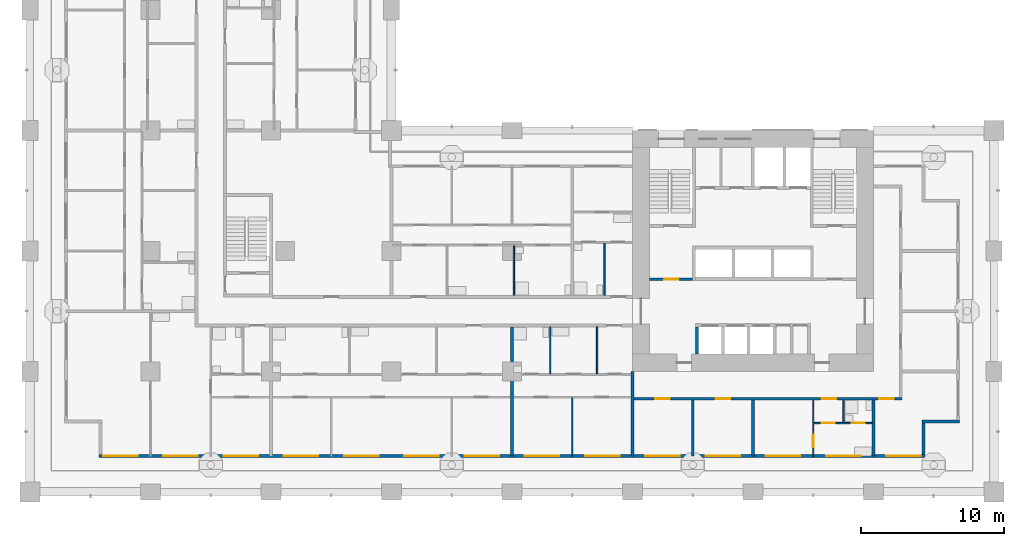
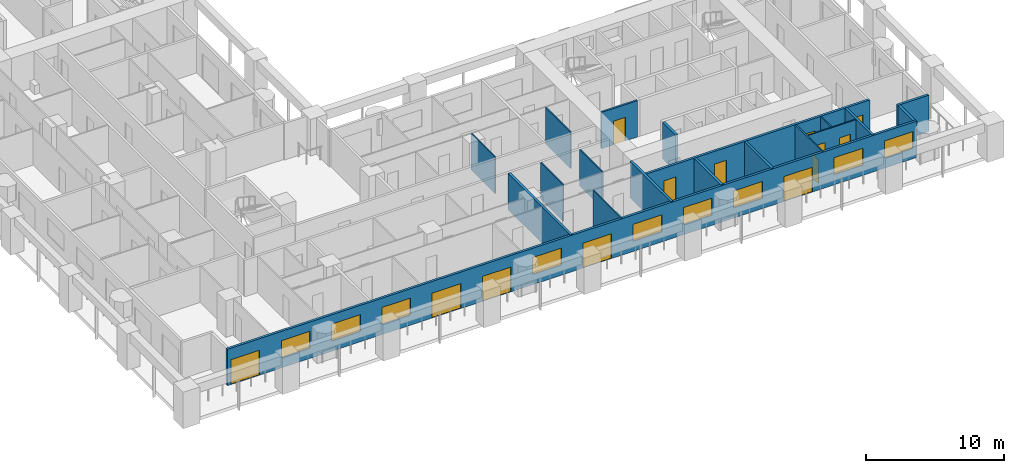
# One storey, part 5 of 20: 19 walls, 13 doors, 9 windows, 22 openings.
"""IFC4 building model written with IfcOpenShell, lengths in metres."""

from ifc_helpers import new_model, si_unit, direction, frame, frame_2d, origin, place, context, subcontext, project, spatial, rectangle, extrude, material, layer, layer_set, type_object, element, fill, save


model = new_model("IFC4")

# Units and contexts
model_context = context("Model", 3, precision=1e-05, world=origin(), true_north=direction((0.0, 1.0)))
body_context = subcontext(model_context, "Body", "Model", "MODEL_VIEW")
ifc_project = project(units=[si_unit("LENGTHUNIT", "METRE"), si_unit("AREAUNIT", "SQUARE_METRE"), si_unit("VOLUMEUNIT", "CUBIC_METRE"), si_unit("PLANEANGLEUNIT", "RADIAN"), si_unit("MASSUNIT", "GRAM", prefix="KILO")], contexts=[model_context])

# Site, building, storey
site_placement = place(None, origin())
site = spatial("IfcSite", under=ifc_project, at=site_placement, CompositionType="ELEMENT")
building_placement = place(site_placement, origin())
building = spatial("IfcBuilding", under=site, at=building_placement, Name="Vermilion Gate Residences", CompositionType="ELEMENT")
storey_placement = place(building_placement, frame((0.0, 0.0, 35.699951171875)))
storey = spatial("IfcBuildingStorey", under=building, at=storey_placement, Name="L07", CompositionType="ELEMENT", Elevation=35.699951171875)

# Wall, opening, door
ifc_material_1 = material(Name="Masonry blockwork", Category="masonry")
ifc_layer_1 = layer(ifc_material_1, 0.14990234375)
ifc_layer_set_1 = layer_set([ifc_layer_1], Name="BLOCKWORK PARTITION 150 EI 120")
wall_type_1 = type_object("IfcWallType", Name="BLOCKWORK PARTITION 150 EI 120", PredefinedType="PARTITIONING", material=ifc_layer_set_1)
wall_1_placement = place(storey_placement, frame((43.199951171875, 14.824951171875, 0.0), z_axis=(0.0, 0.0, 1.0), x_axis=(1.0, 0.0, 0.0)))
wall_1 = element("IfcWall", 1, at=wall_1_placement, inside=storey, type_object=wall_type_1, Name="Core room partition A07-VW-S", PredefinedType="PARTITIONING", context=body_context, shape_type="SweptSolid", body=[
    extrude(rectangle(XDim=3.0, YDim=0.14990234375, at=frame_2d((1.5, 0.0))), origin(), (0.0, 0.0, 1.0), 3.219970703125),
])
opening_1_placement = place(wall_1_placement, frame((1.0, 0.0, 0.0)))
opening_1 = element("IfcOpeningElement", 2, at=opening_1_placement, cuts=wall_1, Name="Opening DK07014", PredefinedType="OPENING", context=body_context, shape_type="SweptSolid", body=[
    extrude(rectangle(XDim=1.0, YDim=2.10009765625, at=frame_2d((0.5, 1.050048828125))), frame((0.0, 0.0849609375, 0.0), z_axis=(0.0, -1.0, 0.0), x_axis=(1.0, 0.0, 0.0)), (0.0, 0.0, 1.0), 0.169921875),
])
ifc_material_2 = material(Name="Steel", Category="steel")
door_type_1 = type_object("IfcDoorType", Name="FIRE DOOR FD60 1000 X 2100", OperationType="SINGLE_SWING_LEFT", PredefinedType="DOOR", material=ifc_material_2)
door_1_placement = place(opening_1_placement, frame((1.0, 0.0, 0.0), z_axis=(0.0, 0.0, 1.0), x_axis=(-1.0, 0.0, 0.0)))
door_1 = element("IfcDoor", 3, at=door_1_placement, inside=storey, type_object=door_type_1, Name="Stair vestibule door A07", OperationType="SINGLE_SWING_RIGHT", OverallHeight=2.10009765625, OverallWidth=1.0, PredefinedType="DOOR", context=body_context, shape_type="SweptSolid", body=[
    extrude(rectangle(XDim=1.0, YDim=2.10009765625, at=frame_2d((0.5, 1.050048828125))), frame((0.0, 0.02490234375, 0.0), z_axis=(0.0, -1.0, 0.0), x_axis=(1.0, 0.0, 0.0)), (0.0, 0.0, 1.0), 0.050048828125),
])
fill(opening_1, door_1)

# Wall, openings, doors, windows
ifc_material_3 = material(Name="Insulated steel stud wall with terracotta rainscreen", Category="masonry")
ifc_layer_2 = layer(ifc_material_3, 0.199951171875)
ifc_layer_set_2 = layer_set([ifc_layer_2], Name="EXTERNAL WALL 200 TERRACOTTA RAINSCREEN")
wall_type_2 = type_object("IfcWallType", Name="EXTERNAL WALL 200 TERRACOTTA RAINSCREEN", PredefinedType="SOLIDWALL", material=ifc_layer_set_2)
wall_2_placement = place(storey_placement, frame((4.800048828125, 2.5, 0.0), z_axis=(0.0, 0.0, 1.0), x_axis=(1.0, 0.0, 0.0)))
wall_2 = element("IfcWall", 4, at=wall_2_placement, inside=storey, type_object=wall_type_2, Name="External wall", PredefinedType="SOLIDWALL", context=body_context, shape_type="SweptSolid", body=[
    extrude(rectangle(XDim=57.599853515625, YDim=0.199951171875, at=frame_2d((28.7998046875, 0.0))), origin(), (0.0, 0.0, 1.0), 3.219970703125),
])
opening_2_placement = place(wall_2_placement, frame((0.300048828125, 0.0, 0.0)))
opening_2 = element("IfcOpeningElement", 5, at=opening_2_placement, cuts=wall_2, Name="Opening DE07014", PredefinedType="OPENING", context=body_context, shape_type="SweptSolid", body=[
    extrude(rectangle(XDim=2.39990234375, YDim=2.199951171875, at=frame_2d((1.199951171875, 1.10009765625))), frame((0.0, 0.10986328125, 0.0), z_axis=(0.0, -1.0, 0.0), x_axis=(1.0, 0.0, 0.0)), (0.0, 0.0, 1.0), 0.219970703125),
])
opening_3_placement = place(wall_2_placement, frame((4.5, 0.0, 0.89990234375)))
opening_3 = element("IfcOpeningElement", 6, at=opening_3_placement, cuts=wall_2, Name="Opening WE07015", PredefinedType="OPENING", context=body_context, shape_type="SweptSolid", body=[
    extrude(rectangle(XDim=2.39990234375, YDim=1.5, at=frame_2d((1.199951171875, 0.75))), frame((0.0, 0.10986328125, 0.0), z_axis=(0.0, -1.0, 0.0), x_axis=(1.0, 0.0, 0.0)), (0.0, 0.0, 1.0), 0.219970703125),
])
opening_4_placement = place(wall_2_placement, frame((8.699951171875, 0.0, 0.89990234375)))
opening_4 = element("IfcOpeningElement", 7, at=opening_4_placement, cuts=wall_2, Name="Opening WE07016", PredefinedType="OPENING", context=body_context, shape_type="SweptSolid", body=[
    extrude(rectangle(XDim=2.39990234375, YDim=1.5, at=frame_2d((1.199951171875, 0.75))), frame((0.0, 0.10986328125, 0.0), z_axis=(0.0, -1.0, 0.0), x_axis=(1.0, 0.0, 0.0)), (0.0, 0.0, 1.0), 0.219970703125),
])
opening_5_placement = place(wall_2_placement, frame((12.89990234375, 0.0, 0.89990234375)))
opening_5 = element("IfcOpeningElement", 8, at=opening_5_placement, cuts=wall_2, Name="Opening WE07017", PredefinedType="OPENING", context=body_context, shape_type="SweptSolid", body=[
    extrude(rectangle(XDim=2.39990234375, YDim=1.5, at=frame_2d((1.199951171875, 0.75))), frame((0.0, 0.10986328125, 0.0), z_axis=(0.0, -1.0, 0.0), x_axis=(1.0, 0.0, 0.0)), (0.0, 0.0, 1.0), 0.219970703125),
])
opening_6_placement = place(wall_2_placement, frame((17.10009765625, 0.0, 0.0)))
opening_6 = element("IfcOpeningElement", 9, at=opening_6_placement, cuts=wall_2, Name="Opening DE07018", PredefinedType="OPENING", context=body_context, shape_type="SweptSolid", body=[
    extrude(rectangle(XDim=2.39990234375, YDim=2.199951171875, at=frame_2d((1.199951171875, 1.10009765625))), frame((0.0, 0.10986328125, 0.0), z_axis=(0.0, -1.0, 0.0), x_axis=(1.0, 0.0, 0.0)), (0.0, 0.0, 1.0), 0.219970703125),
])
opening_7_placement = place(wall_2_placement, frame((21.300048828125, 0.0, 0.0)))
opening_7 = element("IfcOpeningElement", 10, at=opening_7_placement, cuts=wall_2, Name="Opening DE07019", PredefinedType="OPENING", context=body_context, shape_type="SweptSolid", body=[
    extrude(rectangle(XDim=2.39990234375, YDim=2.199951171875, at=frame_2d((1.199951171875, 1.10009765625))), frame((0.0, 0.10986328125, 0.0), z_axis=(0.0, -1.0, 0.0), x_axis=(1.0, 0.0, 0.0)), (0.0, 0.0, 1.0), 0.219970703125),
])
opening_8_placement = place(wall_2_placement, frame((25.5, 0.0, 0.89990234375)))
opening_8 = element("IfcOpeningElement", 11, at=opening_8_placement, cuts=wall_2, Name="Opening WE07020", PredefinedType="OPENING", context=body_context, shape_type="SweptSolid", body=[
    extrude(rectangle(XDim=2.39990234375, YDim=1.5, at=frame_2d((1.199951171875, 0.75))), frame((0.0, 0.10986328125, 0.0), z_axis=(0.0, -1.0, 0.0), x_axis=(1.0, 0.0, 0.0)), (0.0, 0.0, 1.0), 0.219970703125),
])
opening_9_placement = place(wall_2_placement, frame((29.699951171875, 0.0, 0.0)))
opening_9 = element("IfcOpeningElement", 12, at=opening_9_placement, cuts=wall_2, Name="Opening DE07021", PredefinedType="OPENING", context=body_context, shape_type="SweptSolid", body=[
    extrude(rectangle(XDim=2.39990234375, YDim=2.199951171875, at=frame_2d((1.199951171875, 1.10009765625))), frame((0.0, 0.10986328125, 0.0), z_axis=(0.0, -1.0, 0.0), x_axis=(1.0, 0.0, 0.0)), (0.0, 0.0, 1.0), 0.219970703125),
])
opening_10_placement = place(wall_2_placement, frame((33.89990234375, 0.0, 0.89990234375)))
opening_10 = element("IfcOpeningElement", 13, at=opening_10_placement, cuts=wall_2, Name="Opening WE07022", PredefinedType="OPENING", context=body_context, shape_type="SweptSolid", body=[
    extrude(rectangle(XDim=2.39990234375, YDim=1.5, at=frame_2d((1.199951171875, 0.75))), frame((0.0, 0.10986328125, 0.0), z_axis=(0.0, -1.0, 0.0), x_axis=(1.0, 0.0, 0.0)), (0.0, 0.0, 1.0), 0.219970703125),
])
opening_11_placement = place(wall_2_placement, frame((38.10009765625, 0.0, 0.89990234375)))
opening_11 = element("IfcOpeningElement", 14, at=opening_11_placement, cuts=wall_2, Name="Opening WE07023", PredefinedType="OPENING", context=body_context, shape_type="SweptSolid", body=[
    extrude(rectangle(XDim=2.39990234375, YDim=1.5, at=frame_2d((1.199951171875, 0.75))), frame((0.0, 0.10986328125, 0.0), z_axis=(0.0, -1.0, 0.0), x_axis=(1.0, 0.0, 0.0)), (0.0, 0.0, 1.0), 0.219970703125),
])
opening_12_placement = place(wall_2_placement, frame((42.300048828125, 0.0, 0.89990234375)))
opening_12 = element("IfcOpeningElement", 15, at=opening_12_placement, cuts=wall_2, Name="Opening WE07024", PredefinedType="OPENING", context=body_context, shape_type="SweptSolid", body=[
    extrude(rectangle(XDim=2.39990234375, YDim=1.5, at=frame_2d((1.199951171875, 0.75))), frame((0.0, 0.10986328125, 0.0), z_axis=(0.0, -1.0, 0.0), x_axis=(1.0, 0.0, 0.0)), (0.0, 0.0, 1.0), 0.219970703125),
])
opening_13_placement = place(wall_2_placement, frame((46.5, 0.0, 0.0)))
opening_13 = element("IfcOpeningElement", 16, at=opening_13_placement, cuts=wall_2, Name="Opening DE07025", PredefinedType="OPENING", context=body_context, shape_type="SweptSolid", body=[
    extrude(rectangle(XDim=2.39990234375, YDim=2.199951171875, at=frame_2d((1.199951171875, 1.10009765625))), frame((0.0, 0.10986328125, 0.0), z_axis=(0.0, -1.0, 0.0), x_axis=(1.0, 0.0, 0.0)), (0.0, 0.0, 1.0), 0.219970703125),
])
opening_14_placement = place(wall_2_placement, frame((50.699951171875, 0.0, 0.89990234375)))
opening_14 = element("IfcOpeningElement", 17, at=opening_14_placement, cuts=wall_2, Name="Opening WE07026", PredefinedType="OPENING", context=body_context, shape_type="SweptSolid", body=[
    extrude(rectangle(XDim=2.39990234375, YDim=1.5, at=frame_2d((1.199951171875, 0.75))), frame((0.0, 0.10986328125, 0.0), z_axis=(0.0, -1.0, 0.0), x_axis=(1.0, 0.0, 0.0)), (0.0, 0.0, 1.0), 0.219970703125),
])
opening_15_placement = place(wall_2_placement, frame((54.89990234375, 0.0, 0.89990234375)))
opening_15 = element("IfcOpeningElement", 18, at=opening_15_placement, cuts=wall_2, Name="Opening WE07027", PredefinedType="OPENING", context=body_context, shape_type="SweptSolid", body=[
    extrude(rectangle(XDim=2.39990234375, YDim=1.5, at=frame_2d((1.199951171875, 0.75))), frame((0.0, 0.10986328125, 0.0), z_axis=(0.0, -1.0, 0.0), x_axis=(1.0, 0.0, 0.0)), (0.0, 0.0, 1.0), 0.219970703125),
])
ifc_material_4 = material(Name="Aluminium and clear glass", Category="aluminium")
door_type_2 = type_object("IfcDoorType", Name="SLIDING GLAZED DOOR 2400 X 2200", OperationType="DOUBLE_DOOR_SLIDING", PredefinedType="DOOR", material=ifc_material_4)
door_2_placement = place(opening_2_placement, origin())
door_2 = element("IfcDoor", 19, at=door_2_placement, inside=storey, type_object=door_type_2, Name="Loggia sliding door", OperationType="DOUBLE_DOOR_SLIDING", OverallHeight=2.199951171875, OverallWidth=2.39990234375, PredefinedType="DOOR", context=body_context, shape_type="SweptSolid", body=[
    extrude(rectangle(XDim=2.39990234375, YDim=2.199951171875, at=frame_2d((1.199951171875, 1.10009765625))), frame((0.0, 0.02490234375, 0.0), z_axis=(0.0, -1.0, 0.0), x_axis=(1.0, 0.0, 0.0)), (0.0, 0.0, 1.0), 0.050048828125),
])
fill(opening_2, door_2)
door_3_placement = place(opening_6_placement, origin())
door_3 = element("IfcDoor", 20, at=door_3_placement, inside=storey, type_object=door_type_2, Name="Loggia sliding door", OperationType="DOUBLE_DOOR_SLIDING", OverallHeight=2.199951171875, OverallWidth=2.39990234375, PredefinedType="DOOR", context=body_context, shape_type="SweptSolid", body=[
    extrude(rectangle(XDim=2.39990234375, YDim=2.199951171875, at=frame_2d((1.199951171875, 1.10009765625))), frame((0.0, 0.02490234375, 0.0), z_axis=(0.0, -1.0, 0.0), x_axis=(1.0, 0.0, 0.0)), (0.0, 0.0, 1.0), 0.050048828125),
])
fill(opening_6, door_3)
door_4_placement = place(opening_7_placement, origin())
door_4 = element("IfcDoor", 21, at=door_4_placement, inside=storey, type_object=door_type_2, Name="Loggia sliding door", OperationType="DOUBLE_DOOR_SLIDING", OverallHeight=2.199951171875, OverallWidth=2.39990234375, PredefinedType="DOOR", context=body_context, shape_type="SweptSolid", body=[
    extrude(rectangle(XDim=2.39990234375, YDim=2.199951171875, at=frame_2d((1.199951171875, 1.10009765625))), frame((0.0, 0.02490234375, 0.0), z_axis=(0.0, -1.0, 0.0), x_axis=(1.0, 0.0, 0.0)), (0.0, 0.0, 1.0), 0.050048828125),
])
fill(opening_7, door_4)
door_5_placement = place(opening_9_placement, origin())
door_5 = element("IfcDoor", 22, at=door_5_placement, inside=storey, type_object=door_type_2, Name="Loggia sliding door", OperationType="DOUBLE_DOOR_SLIDING", OverallHeight=2.199951171875, OverallWidth=2.39990234375, PredefinedType="DOOR", context=body_context, shape_type="SweptSolid", body=[
    extrude(rectangle(XDim=2.39990234375, YDim=2.199951171875, at=frame_2d((1.199951171875, 1.10009765625))), frame((0.0, 0.02490234375, 0.0), z_axis=(0.0, -1.0, 0.0), x_axis=(1.0, 0.0, 0.0)), (0.0, 0.0, 1.0), 0.050048828125),
])
fill(opening_9, door_5)
door_6_placement = place(opening_13_placement, origin())
door_6 = element("IfcDoor", 23, at=door_6_placement, inside=storey, type_object=door_type_2, Name="Loggia sliding door", OperationType="DOUBLE_DOOR_SLIDING", OverallHeight=2.199951171875, OverallWidth=2.39990234375, PredefinedType="DOOR", context=body_context, shape_type="SweptSolid", body=[
    extrude(rectangle(XDim=2.39990234375, YDim=2.199951171875, at=frame_2d((1.199951171875, 1.10009765625))), frame((0.0, 0.02490234375, 0.0), z_axis=(0.0, -1.0, 0.0), x_axis=(1.0, 0.0, 0.0)), (0.0, 0.0, 1.0), 0.050048828125),
])
fill(opening_13, door_6)
ifc_material_5 = material(Name="Aluminium and clear glass", Category="aluminium")
window_type = type_object("IfcWindowType", Name="WINDOW 2400 X 1500", PartitioningType="SINGLE_PANEL", PredefinedType="WINDOW", material=ifc_material_5)
window_1_placement = place(opening_3_placement, origin())
window_1 = element("IfcWindow", 24, at=window_1_placement, inside=storey, type_object=window_type, Name="Window", OverallHeight=1.5, OverallWidth=2.39990234375, PartitioningType="SINGLE_PANEL", PredefinedType="WINDOW", context=body_context, shape_type="SweptSolid", body=[
    extrude(rectangle(XDim=2.39990234375, YDim=1.5, at=frame_2d((1.199951171875, 0.75))), frame((0.0, 0.030029296875, 0.0), z_axis=(0.0, -1.0, 0.0), x_axis=(1.0, 0.0, 0.0)), (0.0, 0.0, 1.0), 0.06005859375),
])
fill(opening_3, window_1)
window_2_placement = place(opening_4_placement, origin())
window_2 = element("IfcWindow", 25, at=window_2_placement, inside=storey, type_object=window_type, Name="Window", OverallHeight=1.5, OverallWidth=2.39990234375, PartitioningType="SINGLE_PANEL", PredefinedType="WINDOW", context=body_context, shape_type="SweptSolid", body=[
    extrude(rectangle(XDim=2.39990234375, YDim=1.5, at=frame_2d((1.199951171875, 0.75))), frame((0.0, 0.030029296875, 0.0), z_axis=(0.0, -1.0, 0.0), x_axis=(1.0, 0.0, 0.0)), (0.0, 0.0, 1.0), 0.06005859375),
])
fill(opening_4, window_2)
window_3_placement = place(opening_5_placement, origin())
window_3 = element("IfcWindow", 26, at=window_3_placement, inside=storey, type_object=window_type, Name="Window", OverallHeight=1.5, OverallWidth=2.39990234375, PartitioningType="SINGLE_PANEL", PredefinedType="WINDOW", context=body_context, shape_type="SweptSolid", body=[
    extrude(rectangle(XDim=2.39990234375, YDim=1.5, at=frame_2d((1.199951171875, 0.75))), frame((0.0, 0.030029296875, 0.0), z_axis=(0.0, -1.0, 0.0), x_axis=(1.0, 0.0, 0.0)), (0.0, 0.0, 1.0), 0.06005859375),
])
fill(opening_5, window_3)
window_4_placement = place(opening_8_placement, origin())
window_4 = element("IfcWindow", 27, at=window_4_placement, inside=storey, type_object=window_type, Name="Window", OverallHeight=1.5, OverallWidth=2.39990234375, PartitioningType="SINGLE_PANEL", PredefinedType="WINDOW", context=body_context, shape_type="SweptSolid", body=[
    extrude(rectangle(XDim=2.39990234375, YDim=1.5, at=frame_2d((1.199951171875, 0.75))), frame((0.0, 0.030029296875, 0.0), z_axis=(0.0, -1.0, 0.0), x_axis=(1.0, 0.0, 0.0)), (0.0, 0.0, 1.0), 0.06005859375),
])
fill(opening_8, window_4)
window_5_placement = place(opening_10_placement, origin())
window_5 = element("IfcWindow", 28, at=window_5_placement, inside=storey, type_object=window_type, Name="Window", OverallHeight=1.5, OverallWidth=2.39990234375, PartitioningType="SINGLE_PANEL", PredefinedType="WINDOW", context=body_context, shape_type="SweptSolid", body=[
    extrude(rectangle(XDim=2.39990234375, YDim=1.5, at=frame_2d((1.199951171875, 0.75))), frame((0.0, 0.030029296875, 0.0), z_axis=(0.0, -1.0, 0.0), x_axis=(1.0, 0.0, 0.0)), (0.0, 0.0, 1.0), 0.06005859375),
])
fill(opening_10, window_5)
window_6_placement = place(opening_11_placement, origin())
window_6 = element("IfcWindow", 29, at=window_6_placement, inside=storey, type_object=window_type, Name="Window", OverallHeight=1.5, OverallWidth=2.39990234375, PartitioningType="SINGLE_PANEL", PredefinedType="WINDOW", context=body_context, shape_type="SweptSolid", body=[
    extrude(rectangle(XDim=2.39990234375, YDim=1.5, at=frame_2d((1.199951171875, 0.75))), frame((0.0, 0.030029296875, 0.0), z_axis=(0.0, -1.0, 0.0), x_axis=(1.0, 0.0, 0.0)), (0.0, 0.0, 1.0), 0.06005859375),
])
fill(opening_11, window_6)
window_7_placement = place(opening_12_placement, origin())
window_7 = element("IfcWindow", 30, at=window_7_placement, inside=storey, type_object=window_type, Name="Window", OverallHeight=1.5, OverallWidth=2.39990234375, PartitioningType="SINGLE_PANEL", PredefinedType="WINDOW", context=body_context, shape_type="SweptSolid", body=[
    extrude(rectangle(XDim=2.39990234375, YDim=1.5, at=frame_2d((1.199951171875, 0.75))), frame((0.0, 0.030029296875, 0.0), z_axis=(0.0, -1.0, 0.0), x_axis=(1.0, 0.0, 0.0)), (0.0, 0.0, 1.0), 0.06005859375),
])
fill(opening_12, window_7)
window_8_placement = place(opening_14_placement, origin())
window_8 = element("IfcWindow", 31, at=window_8_placement, inside=storey, type_object=window_type, Name="Window", OverallHeight=1.5, OverallWidth=2.39990234375, PartitioningType="SINGLE_PANEL", PredefinedType="WINDOW", context=body_context, shape_type="SweptSolid", body=[
    extrude(rectangle(XDim=2.39990234375, YDim=1.5, at=frame_2d((1.199951171875, 0.75))), frame((0.0, 0.030029296875, 0.0), z_axis=(0.0, -1.0, 0.0), x_axis=(1.0, 0.0, 0.0)), (0.0, 0.0, 1.0), 0.06005859375),
])
fill(opening_14, window_8)
window_9_placement = place(opening_15_placement, origin())
window_9 = element("IfcWindow", 32, at=window_9_placement, inside=storey, type_object=window_type, Name="Window", OverallHeight=1.5, OverallWidth=2.39990234375, PartitioningType="SINGLE_PANEL", PredefinedType="WINDOW", context=body_context, shape_type="SweptSolid", body=[
    extrude(rectangle(XDim=2.39990234375, YDim=1.5, at=frame_2d((1.199951171875, 0.75))), frame((0.0, 0.030029296875, 0.0), z_axis=(0.0, -1.0, 0.0), x_axis=(1.0, 0.0, 0.0)), (0.0, 0.0, 1.0), 0.06005859375),
])
fill(opening_15, window_9)

# Walls
wall_3_placement = place(storey_placement, frame((62.300048828125, 2.60009765625, 0.0), z_axis=(0.0, 0.0, 1.0), x_axis=(0.0, 1.0, 0.0)))
element("IfcWall", 33, at=wall_3_placement, inside=storey, type_object=wall_type_2, Name="External wall", PredefinedType="SOLIDWALL", context=body_context, shape_type="SweptSolid", body=[
    extrude(rectangle(XDim=2.199951171875, YDim=0.199951171875, at=frame_2d((1.10009765625, 0.0))), origin(), (0.0, 0.0, 1.0), 3.219970703125),
])
wall_4_placement = place(storey_placement, frame((62.199951171875, 4.89990234375, 0.0), z_axis=(0.0, 0.0, 1.0), x_axis=(1.0, 0.0, 0.0)))
element("IfcWall", 34, at=wall_4_placement, inside=storey, type_object=wall_type_2, Name="External wall", PredefinedType="SOLIDWALL", context=body_context, shape_type="SweptSolid", body=[
    extrude(rectangle(XDim=2.60009765625, YDim=0.199951171875, at=frame_2d((1.300048828125, 0.0))), origin(), (0.0, 0.0, 1.0), 3.219970703125),
])

# Wall, openings, doors
ifc_material_6 = material(Name="Plasterboard on steel studs", Category="steel")
ifc_layer_3 = layer(ifc_material_6, 0.10009765625)
ifc_layer_set_3 = layer_set([ifc_layer_3], Name="PARTITION 100")
wall_type_3 = type_object("IfcWallType", Name="PARTITION 100", PredefinedType="PARTITIONING", material=ifc_layer_set_3)
wall_5_placement = place(storey_placement, frame((54.64990234375, 4.800048828125, 0.0), z_axis=(0.0, 0.0, 1.0), x_axis=(1.0, 0.0, 0.0)))
wall_5 = element("IfcWall", 35, at=wall_5_placement, inside=storey, type_object=wall_type_3, Name="Partition", PredefinedType="PARTITIONING", context=body_context, shape_type="SweptSolid", body=[
    extrude(rectangle(XDim=4.050048828125, YDim=0.10009765625, at=frame_2d((2.02490234375, 0.0))), origin(), (0.0, 0.0, 1.0), 3.219970703125),
])
opening_16_placement = place(wall_5_placement, frame((0.550048828125, 0.0, 0.0)))
opening_16 = element("IfcOpeningElement", 36, at=opening_16_placement, cuts=wall_5, Name="Opening DA07001", PredefinedType="OPENING", context=body_context, shape_type="SweptSolid", body=[
    extrude(rectangle(XDim=0.89990234375, YDim=2.10009765625, at=frame_2d((0.449951171875, 1.050048828125))), frame((0.0, 0.06005859375, 0.0), z_axis=(0.0, -1.0, 0.0), x_axis=(1.0, 0.0, 0.0)), (0.0, 0.0, 1.0), 0.1201171875),
])
opening_17_placement = place(wall_5_placement, frame((2.64990234375, 0.0, 0.0)))
opening_17 = element("IfcOpeningElement", 37, at=opening_17_placement, cuts=wall_5, Name="Opening DA07002", PredefinedType="OPENING", context=body_context, shape_type="SweptSolid", body=[
    extrude(rectangle(XDim=0.89990234375, YDim=2.10009765625, at=frame_2d((0.449951171875, 1.050048828125))), frame((0.0, 0.06005859375, 0.0), z_axis=(0.0, -1.0, 0.0), x_axis=(1.0, 0.0, 0.0)), (0.0, 0.0, 1.0), 0.1201171875),
])
ifc_material_7 = material(Name="Timber", Category="wood")
door_type_3 = type_object("IfcDoorType", Name="INTERIOR DOOR 900 X 2100", OperationType="SINGLE_SWING_LEFT", PredefinedType="DOOR", material=ifc_material_7)
door_7_placement = place(opening_16_placement, frame((0.89990234375, 0.0, 0.0), z_axis=(0.0, 0.0, 1.0), x_axis=(-1.0, 0.0, 0.0)))
door_7 = element("IfcDoor", 38, at=door_7_placement, inside=storey, type_object=door_type_3, Name="Interior door", OperationType="SINGLE_SWING_RIGHT", OverallHeight=2.10009765625, OverallWidth=0.89990234375, PredefinedType="DOOR", context=body_context, shape_type="SweptSolid", body=[
    extrude(rectangle(XDim=0.89990234375, YDim=2.10009765625, at=frame_2d((0.449951171875, 1.050048828125))), frame((0.0, 0.02490234375, 0.0), z_axis=(0.0, -1.0, 0.0), x_axis=(1.0, 0.0, 0.0)), (0.0, 0.0, 1.0), 0.050048828125),
])
fill(opening_16, door_7)
door_8_placement = place(opening_17_placement, origin())
door_8 = element("IfcDoor", 39, at=door_8_placement, inside=storey, type_object=door_type_3, Name="Interior door", OperationType="SINGLE_SWING_RIGHT", OverallHeight=2.10009765625, OverallWidth=0.89990234375, PredefinedType="DOOR", context=body_context, shape_type="SweptSolid", body=[
    extrude(rectangle(XDim=0.89990234375, YDim=2.10009765625, at=frame_2d((0.449951171875, 1.050048828125))), frame((0.0, 0.02490234375, 0.0), z_axis=(0.0, -1.0, 0.0), x_axis=(1.0, 0.0, 0.0)), (0.0, 0.0, 1.0), 0.050048828125),
])
fill(opening_17, door_8)

# Walls
wall_6_placement = place(storey_placement, frame((33.73291015625, 13.699951171875, 0.0), z_axis=(0.0, 0.0, 1.0), x_axis=(0.0, 1.0, 0.0)))
element("IfcWall", 40, at=wall_6_placement, inside=storey, type_object=wall_type_3, Name="Partition", PredefinedType="PARTITIONING", context=body_context, shape_type="SweptSolid", body=[
    extrude(rectangle(XDim=3.449951171875, YDim=0.10009765625, at=frame_2d((1.72509765625, 0.0))), origin(), (0.0, 0.0, 1.0), 3.219970703125),
])
wall_7_placement = place(storey_placement, frame((36.26708984375, 8.25, 0.0), z_axis=(0.0, 0.0, 1.0), x_axis=(0.0, 1.0, 0.0)))
element("IfcWall", 41, at=wall_7_placement, inside=storey, type_object=wall_type_3, Name="Partition", PredefinedType="PARTITIONING", context=body_context, shape_type="SweptSolid", body=[
    extrude(rectangle(XDim=3.25, YDim=0.10009765625, at=frame_2d((1.625, 0.0))), origin(), (0.0, 0.0, 1.0), 3.219970703125),
])
wall_8_placement = place(storey_placement, frame((37.800048828125, 2.5, 0.0), z_axis=(0.0, 0.0, 1.0), x_axis=(0.0, 1.0, 0.0)))
element("IfcWall", 42, at=wall_8_placement, inside=storey, type_object=wall_type_3, Name="Partition", PredefinedType="PARTITIONING", context=body_context, shape_type="SweptSolid", body=[
    extrude(rectangle(XDim=4.050048828125, YDim=0.10009765625, at=frame_2d((2.02490234375, 0.0))), origin(), (0.0, 0.0, 1.0), 3.219970703125),
])
wall_9_placement = place(storey_placement, frame((39.532958984375, 8.25, 0.0), z_axis=(0.0, 0.0, 1.0), x_axis=(0.0, 1.0, 0.0)))
element("IfcWall", 43, at=wall_9_placement, inside=storey, type_object=wall_type_3, Name="Partition", PredefinedType="PARTITIONING", context=body_context, shape_type="SweptSolid", body=[
    extrude(rectangle(XDim=3.25, YDim=0.10009765625, at=frame_2d((1.625, 0.0))), origin(), (0.0, 0.0, 1.0), 3.219970703125),
])
wall_10_placement = place(storey_placement, frame((40.0400390625, 13.699951171875, 0.0), z_axis=(0.0, 0.0, 1.0), x_axis=(0.0, 1.0, 0.0)))
element("IfcWall", 44, at=wall_10_placement, inside=storey, type_object=wall_type_3, Name="Partition", PredefinedType="PARTITIONING", context=body_context, shape_type="SweptSolid", body=[
    extrude(rectangle(XDim=3.650146484375, YDim=0.10009765625, at=frame_2d((1.8251953125, 0.0))), origin(), (0.0, 0.0, 1.0), 3.219970703125),
])

# Wall, opening, door
wall_11_placement = place(storey_placement, frame((54.60009765625, 2.5, 0.0), z_axis=(0.0, 0.0, 1.0), x_axis=(0.0, 1.0, 0.0)))
wall_11 = element("IfcWall", 45, at=wall_11_placement, inside=storey, type_object=wall_type_3, Name="Partition", PredefinedType="PARTITIONING", context=body_context, shape_type="SweptSolid", body=[
    extrude(rectangle(XDim=3.89990234375, YDim=0.10009765625, at=frame_2d((1.949951171875, 0.0))), origin(), (0.0, 0.0, 1.0), 3.219970703125),
])
opening_18_placement = place(wall_11_placement, frame((0.60009765625, 0.0, 0.0)))
opening_18 = element("IfcOpeningElement", 46, at=opening_18_placement, cuts=wall_11, Name="Opening DA07065", PredefinedType="OPENING", context=body_context, shape_type="SweptSolid", body=[
    extrude(rectangle(XDim=0.89990234375, YDim=2.10009765625, at=frame_2d((0.449951171875, 1.050048828125))), frame((0.0, 0.06005859375, 0.0), z_axis=(0.0, -1.0, 0.0), x_axis=(1.0, 0.0, 0.0)), (0.0, 0.0, 1.0), 0.1201171875),
])
door_9_placement = place(opening_18_placement, frame((0.89990234375, 0.0, 0.0), z_axis=(0.0, 0.0, 1.0), x_axis=(-1.0, 0.0, 0.0)))
door_9 = element("IfcDoor", 47, at=door_9_placement, inside=storey, type_object=door_type_3, Name="Interior door", OperationType="SINGLE_SWING_RIGHT", OverallHeight=2.10009765625, OverallWidth=0.89990234375, PredefinedType="DOOR", context=body_context, shape_type="SweptSolid", body=[
    extrude(rectangle(XDim=0.89990234375, YDim=2.10009765625, at=frame_2d((0.449951171875, 1.050048828125))), frame((0.0, 0.02490234375, 0.0), z_axis=(0.0, -1.0, 0.0), x_axis=(1.0, 0.0, 0.0)), (0.0, 0.0, 1.0), 0.050048828125),
])
fill(opening_18, door_9)

# Wall
wall_12_placement = place(storey_placement, frame((56.699951171875, 4.85009765625, 0.0), z_axis=(0.0, 0.0, 1.0), x_axis=(0.0, 1.0, 0.0)))
element("IfcWall", 48, at=wall_12_placement, inside=storey, type_object=wall_type_3, Name="Partition", PredefinedType="PARTITIONING", context=body_context, shape_type="SweptSolid", body=[
    extrude(rectangle(XDim=1.5498046875, YDim=0.10009765625, at=frame_2d((0.77490234375, 0.0))), origin(), (0.0, 0.0, 1.0), 3.219970703125),
])

# Wall, openings, doors
ifc_material_8 = material(Name="Fire-rated plasterboard on steel studs", Category="steel")
ifc_layer_4 = layer(ifc_material_8, 0.199951171875)
ifc_layer_set_4 = layer_set([ifc_layer_4], Name="PARTY WALL 200 EI 120")
wall_type_4 = type_object("IfcWallType", Name="PARTY WALL 200 EI 120", PredefinedType="PARTITIONING", material=ifc_layer_set_4)
wall_13_placement = place(storey_placement, frame((42.10009765625, 6.5, 0.0), z_axis=(0.0, 0.0, 1.0), x_axis=(1.0, 0.0, 0.0)))
wall_13 = element("IfcWall", 49, at=wall_13_placement, inside=storey, type_object=wall_type_4, Name="Party and corridor wall", PredefinedType="PARTITIONING", context=body_context, shape_type="SweptSolid", body=[
    extrude(rectangle(XDim=18.699951171875, YDim=0.199951171875, at=frame_2d((9.35009765625, 0.0))), origin(), (0.0, 0.0, 1.0), 3.219970703125),
])
opening_19_placement = place(wall_13_placement, frame((1.5, 0.0, 0.0)))
opening_19 = element("IfcOpeningElement", 50, at=opening_19_placement, cuts=wall_13, Name="Opening DA07003", PredefinedType="OPENING", context=body_context, shape_type="SweptSolid", body=[
    extrude(rectangle(XDim=1.0, YDim=2.10009765625, at=frame_2d((0.5, 1.050048828125))), frame((0.0, 0.10986328125, 0.0), z_axis=(0.0, -1.0, 0.0), x_axis=(1.0, 0.0, 0.0)), (0.0, 0.0, 1.0), 0.219970703125),
])
opening_20_placement = place(wall_13_placement, frame((5.699951171875, 0.0, 0.0)))
opening_20 = element("IfcOpeningElement", 51, at=opening_20_placement, cuts=wall_13, Name="Opening DA07004", PredefinedType="OPENING", context=body_context, shape_type="SweptSolid", body=[
    extrude(rectangle(XDim=1.0, YDim=2.10009765625, at=frame_2d((0.5, 1.050048828125))), frame((0.0, 0.10986328125, 0.0), z_axis=(0.0, -1.0, 0.0), x_axis=(1.0, 0.0, 0.0)), (0.0, 0.0, 1.0), 0.219970703125),
])
opening_21_placement = place(wall_13_placement, frame((13.10009765625, 0.0, 0.0)))
opening_21 = element("IfcOpeningElement", 52, at=opening_21_placement, cuts=wall_13, Name="Opening DA07005", PredefinedType="OPENING", context=body_context, shape_type="SweptSolid", body=[
    extrude(rectangle(XDim=1.0, YDim=2.10009765625, at=frame_2d((0.5, 1.050048828125))), frame((0.0, 0.10986328125, 0.0), z_axis=(0.0, -1.0, 0.0), x_axis=(1.0, 0.0, 0.0)), (0.0, 0.0, 1.0), 0.219970703125),
])
opening_22_placement = place(wall_13_placement, frame((17.10009765625, 0.0, 0.0)))
opening_22 = element("IfcOpeningElement", 53, at=opening_22_placement, cuts=wall_13, Name="Opening DA07006", PredefinedType="OPENING", context=body_context, shape_type="SweptSolid", body=[
    extrude(rectangle(XDim=1.0, YDim=2.10009765625, at=frame_2d((0.5, 1.050048828125))), frame((0.0, 0.10986328125, 0.0), z_axis=(0.0, -1.0, 0.0), x_axis=(1.0, 0.0, 0.0)), (0.0, 0.0, 1.0), 0.219970703125),
])
ifc_material_9 = material(Name="Steel", Category="steel")
door_type_4 = type_object("IfcDoorType", Name="ENTRANCE DOOR 1000 X 2100 FD30", OperationType="SINGLE_SWING_LEFT", PredefinedType="DOOR", material=ifc_material_9)
door_10_placement = place(opening_19_placement, frame((1.0, 0.0, 0.0), z_axis=(0.0, 0.0, 1.0), x_axis=(-1.0, 0.0, 0.0)))
door_10 = element("IfcDoor", 54, at=door_10_placement, inside=storey, type_object=door_type_4, Name="Entrance door", OperationType="SINGLE_SWING_RIGHT", OverallHeight=2.10009765625, OverallWidth=1.0, PredefinedType="DOOR", context=body_context, shape_type="SweptSolid", body=[
    extrude(rectangle(XDim=1.0, YDim=2.10009765625, at=frame_2d((0.5, 1.050048828125))), frame((0.0, 0.02490234375, 0.0), z_axis=(0.0, -1.0, 0.0), x_axis=(1.0, 0.0, 0.0)), (0.0, 0.0, 1.0), 0.050048828125),
])
fill(opening_19, door_10)
door_11_placement = place(opening_20_placement, frame((1.0, 0.0, 0.0), z_axis=(0.0, 0.0, 1.0), x_axis=(-1.0, 0.0, 0.0)))
door_11 = element("IfcDoor", 55, at=door_11_placement, inside=storey, type_object=door_type_4, Name="Entrance door", OperationType="SINGLE_SWING_LEFT", OverallHeight=2.10009765625, OverallWidth=1.0, PredefinedType="DOOR", context=body_context, shape_type="SweptSolid", body=[
    extrude(rectangle(XDim=1.0, YDim=2.10009765625, at=frame_2d((0.5, 1.050048828125))), frame((0.0, 0.02490234375, 0.0), z_axis=(0.0, -1.0, 0.0), x_axis=(1.0, 0.0, 0.0)), (0.0, 0.0, 1.0), 0.050048828125),
])
fill(opening_20, door_11)
door_12_placement = place(opening_21_placement, frame((1.0, 0.0, 0.0), z_axis=(0.0, 0.0, 1.0), x_axis=(-1.0, 0.0, 0.0)))
door_12 = element("IfcDoor", 56, at=door_12_placement, inside=storey, type_object=door_type_4, Name="Entrance door", OperationType="SINGLE_SWING_LEFT", OverallHeight=2.10009765625, OverallWidth=1.0, PredefinedType="DOOR", context=body_context, shape_type="SweptSolid", body=[
    extrude(rectangle(XDim=1.0, YDim=2.10009765625, at=frame_2d((0.5, 1.050048828125))), frame((0.0, 0.02490234375, 0.0), z_axis=(0.0, -1.0, 0.0), x_axis=(1.0, 0.0, 0.0)), (0.0, 0.0, 1.0), 0.050048828125),
])
fill(opening_21, door_12)
door_13_placement = place(opening_22_placement, frame((1.0, 0.0, 0.0), z_axis=(0.0, 0.0, 1.0), x_axis=(-1.0, 0.0, 0.0)))
door_13 = element("IfcDoor", 57, at=door_13_placement, inside=storey, type_object=door_type_4, Name="Entrance door", OperationType="SINGLE_SWING_RIGHT", OverallHeight=2.10009765625, OverallWidth=1.0, PredefinedType="DOOR", context=body_context, shape_type="SweptSolid", body=[
    extrude(rectangle(XDim=1.0, YDim=2.10009765625, at=frame_2d((0.5, 1.050048828125))), frame((0.0, 0.02490234375, 0.0), z_axis=(0.0, -1.0, 0.0), x_axis=(1.0, 0.0, 0.0)), (0.0, 0.0, 1.0), 0.050048828125),
])
fill(opening_22, door_13)

# Walls
wall_14_placement = place(storey_placement, frame((33.60009765625, 2.5, 0.0), z_axis=(0.0, 0.0, 1.0), x_axis=(0.0, 1.0, 0.0)))
element("IfcWall", 58, at=wall_14_placement, inside=storey, type_object=wall_type_4, Name="Party and corridor wall", PredefinedType="PARTITIONING", context=body_context, shape_type="SweptSolid", body=[
    extrude(rectangle(XDim=9.0, YDim=0.199951171875, at=frame_2d((4.5, 0.0))), origin(), (0.0, 0.0, 1.0), 3.219970703125),
])
wall_15_placement = place(storey_placement, frame((42.0, 2.5, 0.0), z_axis=(0.0, 0.0, 1.0), x_axis=(0.0, 1.0, 0.0)))
element("IfcWall", 59, at=wall_15_placement, inside=storey, type_object=wall_type_4, Name="Party and corridor wall", PredefinedType="PARTITIONING", context=body_context, shape_type="SweptSolid", body=[
    extrude(rectangle(XDim=5.89990234375, YDim=0.199951171875, at=frame_2d((2.949951171875, 0.0))), origin(), (0.0, 0.0, 1.0), 3.219970703125),
])
for number, where, z_axis, x_axis, name in (
    (60, (46.199951171875, 2.5, 0.0), (0.0, 0.0, 1.0), (0.0, 1.0, 0.0), "Party and corridor wall"),
    (61, (50.39990234375, 2.5, 0.0), (0.0, 0.0, 1.0), (0.0, 1.0, 0.0), "Party and corridor wall"),
    (62, (58.800048828125, 2.5, 0.0), (0.0, 0.0, 1.0), (0.0, 1.0, 0.0), "Party and corridor wall"),
):
    element("IfcWall", number, at=place(storey_placement, frame(where, z_axis=z_axis, x_axis=x_axis)), inside=storey, type_object=wall_type_4, Name=name, PredefinedType="PARTITIONING", context=body_context, shape_type="SweptSolid", body=[
        extrude(rectangle(XDim=3.89990234375, YDim=0.199951171875, at=frame_2d((1.949951171875, 0.0))), origin(), (0.0, 0.0, 1.0), 3.219970703125),
    ])
ifc_material_10 = material(Name="Concrete C60", Category="concrete")
ifc_layer_5 = layer(ifc_material_10, 0.199951171875)
ifc_layer_set_5 = layer_set([ifc_layer_5], Name="RC CORE INTERNAL WALL 200 C60")
wall_type_5 = type_object("IfcWallType", Name="RC CORE INTERNAL WALL 200 C60", PredefinedType="SHEAR", material=ifc_layer_set_5)
wall_16_placement = place(storey_placement, frame((46.5, 9.60009765625, 0.0), z_axis=(0.0, 0.0, 1.0), x_axis=(0.0, 1.0, 0.0)))
element("IfcWall", 63, at=wall_16_placement, inside=storey, type_object=wall_type_5, Name="Core internal wall A07-LR-D0", PredefinedType="SHEAR", context=body_context, shape_type="SweptSolid", body=[
    extrude(rectangle(XDim=1.89990234375, YDim=0.199951171875, at=frame_2d((0.949951171875, 0.0))), origin(), (0.0, 0.0, 1.0), 3.219970703125),
])

save(model, "model.ifc")
